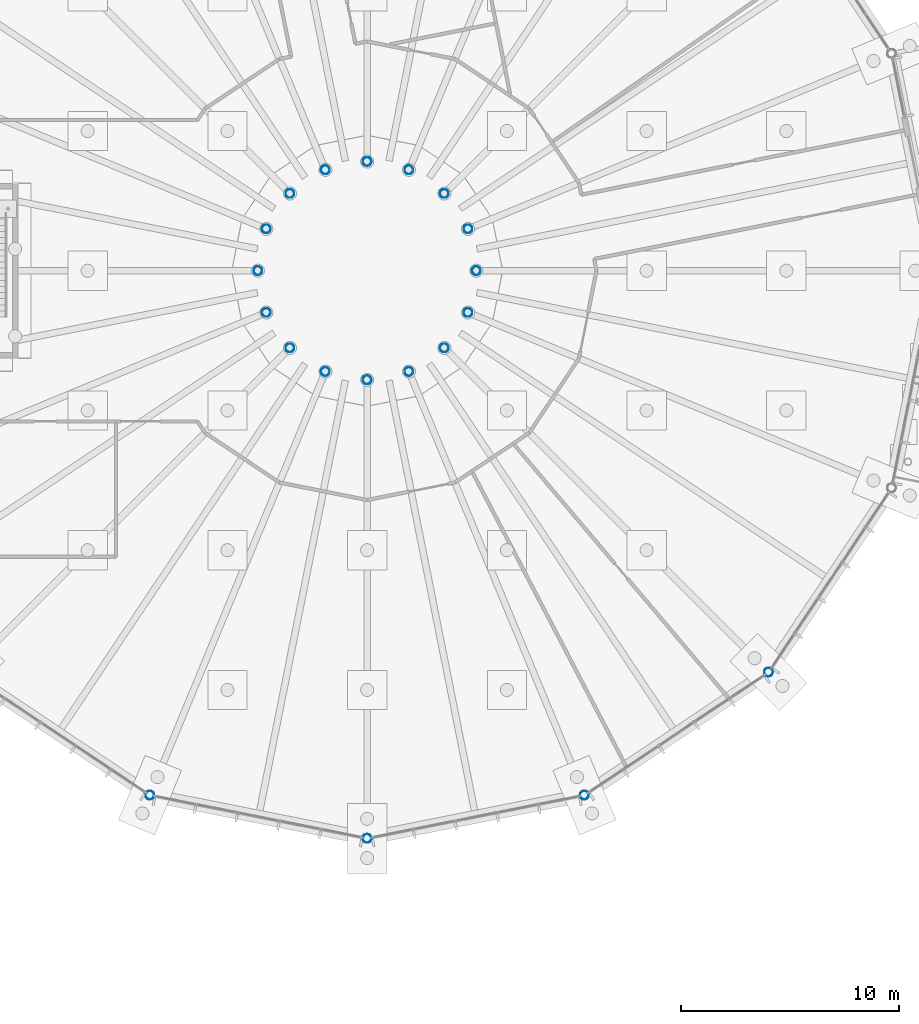
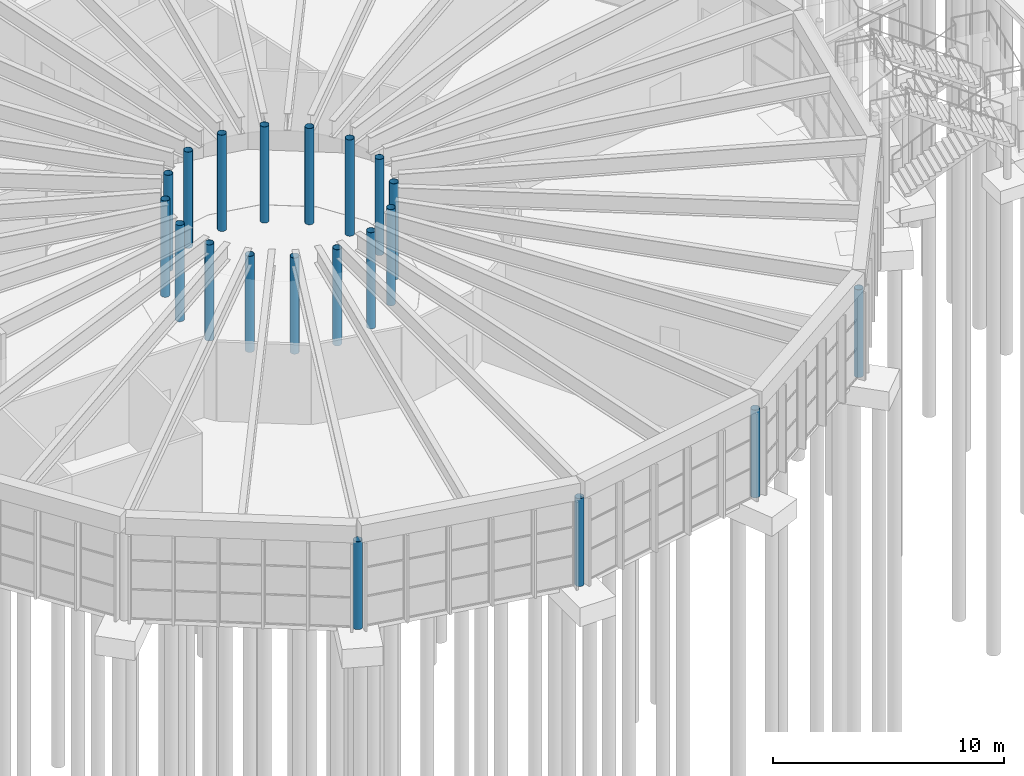
# One storey, part 30 of 226: 20 columns.
"""IFC4 building model written with IfcOpenShell, lengths in metres."""

from ifc_helpers import new_model, si_unit, direction, frame, origin, origin_2d, place, context, subcontext, project, spatial, hollow_circle, extrude, material, material_profile, profile_set, type_object, element, save


model = new_model("IFC4")

# Units and contexts
model_context = context("Model", 3, precision=1e-05, world=origin(), true_north=direction((0.0, 1.0)))
body_context = subcontext(model_context, "Body", "Model", "MODEL_VIEW")
ifc_project = project(units=[si_unit("LENGTHUNIT", "METRE"), si_unit("AREAUNIT", "SQUARE_METRE"), si_unit("VOLUMEUNIT", "CUBIC_METRE"), si_unit("PLANEANGLEUNIT", "RADIAN"), si_unit("MASSUNIT", "GRAM", prefix="KILO")], contexts=[model_context])

# Site, building, storey
site_placement = place(None, origin())
site = spatial("IfcSite", under=ifc_project, at=site_placement, CompositionType="ELEMENT")
building_placement = place(site_placement, origin())
building = spatial("IfcBuilding", under=site, at=building_placement, Name="Ceibo Conservatory and Research Tower", CompositionType="ELEMENT")
storey_placement = place(building_placement, origin())
storey = spatial("IfcBuildingStorey", under=building, at=storey_placement, Name="L00", CompositionType="ELEMENT", Elevation=0.0)

# Columns
ifc_material = material(Name="Steel ASTM A500 Gr C", Category="steel")
ifc_material_profile_1 = material_profile(ifc_material, hollow_circle(Radius=0.203125, WallThickness=0.0126953125, at=origin_2d()), Name="CHS column 406.4x12.70")
ifc_profile_set_1 = profile_set([ifc_material_profile_1], Name="Steel ASTM A500 Gr C")
column_type_1 = type_object("IfcColumnType", Name="CHS column 406.4x12.70", PredefinedType="COLUMN", material=ifc_profile_set_1)
for number, where, z_axis, x_axis, name in (
    (1, (158.05029296875, 11.979248046875, 0.0), (0.0, 0.0, 1.0), (1.0, 0.0, 0.0), "Pavilion column VC-C12"),
    (2, (168.0, 10.0, 0.0), (0.0, 0.0, 1.0), (1.0, 0.0, 0.0), "Pavilion column VC-C13"),
    (3, (177.94970703125, 11.979248046875, 0.0), (0.0, 0.0, 1.0), (1.0, 0.0, 0.0), "Pavilion column VC-C14"),
    (4, (186.384765625, 17.615234375, 0.0), (0.0, 0.0, 1.0), (1.0, 0.0, 0.0), "Pavilion column VC-C15"),
):
    element("IfcColumn", number, at=place(storey_placement, frame(where, z_axis=z_axis, x_axis=x_axis)), inside=storey, type_object=column_type_1, Name=name, PredefinedType="COLUMN", context=body_context, shape_type="SweptSolid", body=[
        extrude(hollow_circle(Radius=0.203125, WallThickness=0.0126953125, at=origin_2d()), origin(), (0.0, 0.0, 1.0), 4.64892578125),
    ])
ifc_material_profile_2 = material_profile(ifc_material, hollow_circle(Radius=0.203125, WallThickness=0.0126953125, at=origin_2d()), Name="Pavilion central column CHS 406.4x12.7")
ifc_profile_set_2 = profile_set([ifc_material_profile_2], Name="Steel ASTM A500 Gr C")
column_type_2 = type_object("IfcColumnType", Name="Pavilion central column CHS 406.4x12.7", PredefinedType="COLUMN", material=ifc_profile_set_2)
for number, where, z_axis, x_axis, name in (
    (5, (173.0, 36.0, 0.0), (0.0, 0.0, 1.0), (1.0, 0.0, 0.0), "Pavilion central column VC-CC01"),
    (6, (172.619384765625, 37.913330078125, 0.0), (0.0, 0.0, 1.0), (1.0, 0.0, 0.0), "Pavilion central column VC-CC02"),
    (7, (171.53564453125, 39.53564453125, 0.0), (0.0, 0.0, 1.0), (1.0, 0.0, 0.0), "Pavilion central column VC-CC03"),
    (8, (169.913330078125, 40.619384765625, 0.0), (0.0, 0.0, 1.0), (1.0, 0.0, 0.0), "Pavilion central column VC-CC04"),
    (9, (168.0, 41.0, 0.0), (0.0, 0.0, 1.0), (1.0, 0.0, 0.0), "Pavilion central column VC-CC05"),
    (10, (166.086669921875, 40.619384765625, 0.0), (0.0, 0.0, 1.0), (1.0, 0.0, 0.0), "Pavilion central column VC-CC06"),
    (11, (164.46435546875, 39.53564453125, 0.0), (0.0, 0.0, 1.0), (1.0, 0.0, 0.0), "Pavilion central column VC-CC07"),
    (12, (163.380615234375, 37.913330078125, 0.0), (0.0, 0.0, 1.0), (1.0, 0.0, 0.0), "Pavilion central column VC-CC08"),
    (13, (163.0, 36.0, 0.0), (0.0, 0.0, 1.0), (1.0, 0.0, 0.0), "Pavilion central column VC-CC09"),
    (14, (163.380615234375, 34.086669921875, 0.0), (0.0, 0.0, 1.0), (1.0, 0.0, 0.0), "Pavilion central column VC-CC10"),
    (15, (164.46435546875, 32.46435546875, 0.0), (0.0, 0.0, 1.0), (1.0, 0.0, 0.0), "Pavilion central column VC-CC11"),
    (16, (166.086669921875, 31.380615234375, 0.0), (0.0, 0.0, 1.0), (1.0, 0.0, 0.0), "Pavilion central column VC-CC12"),
    (17, (168.0, 31.0, 0.0), (0.0, 0.0, 1.0), (1.0, 0.0, 0.0), "Pavilion central column VC-CC13"),
    (18, (169.913330078125, 31.380615234375, 0.0), (0.0, 0.0, 1.0), (1.0, 0.0, 0.0), "Pavilion central column VC-CC14"),
    (19, (171.53564453125, 32.46435546875, 0.0), (0.0, 0.0, 1.0), (1.0, 0.0, 0.0), "Pavilion central column VC-CC15"),
    (20, (172.619384765625, 34.086669921875, 0.0), (0.0, 0.0, 1.0), (1.0, 0.0, 0.0), "Pavilion central column VC-CC16"),
):
    element("IfcColumn", number, at=place(storey_placement, frame(where, z_axis=z_axis, x_axis=x_axis)), inside=storey, type_object=column_type_2, Name=name, PredefinedType="COLUMN", context=body_context, shape_type="SweptSolid", body=[
        extrude(hollow_circle(Radius=0.203125, WallThickness=0.0126953125, at=origin_2d()), origin(), (0.0, 0.0, 1.0), 5.091796875),
    ])

save(model, "model.ifc")
